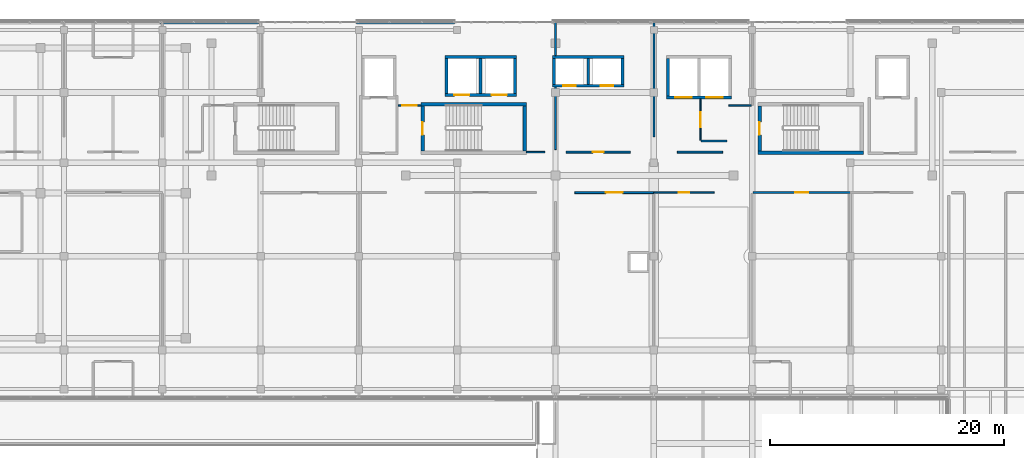
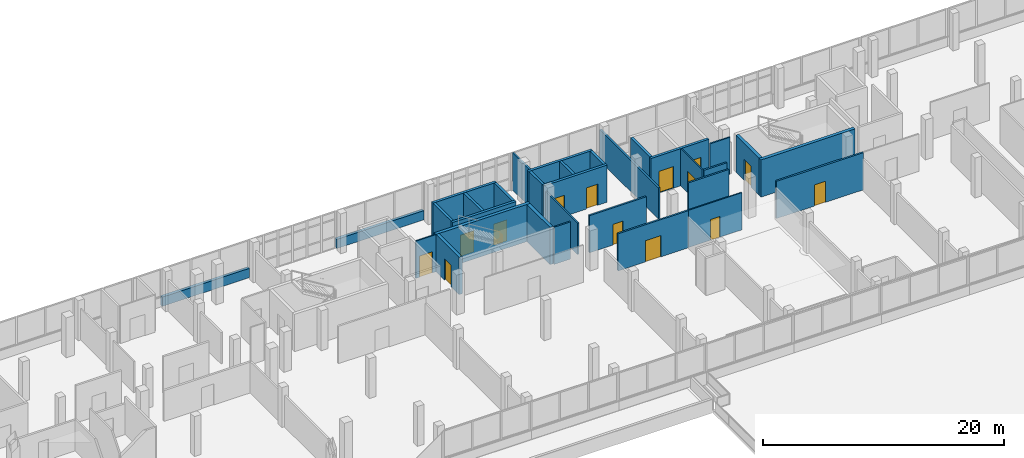
# One storey, part 69 of 78: 32 walls, 14 doors, 14 openings.
"""IFC4 building model written with IfcOpenShell, lengths in metres."""

from ifc_helpers import new_model, si_unit, direction, frame, frame_2d, origin, place, context, subcontext, project, spatial, rectangle, extrude, material, layer, layer_set, type_object, element, fill, save


model = new_model("IFC4")

# Units and contexts
model_context = context("Model", 3, precision=1e-05, world=origin(), true_north=direction((0.0, 1.0)))
body_context = subcontext(model_context, "Body", "Model", "MODEL_VIEW")
ifc_project = project(units=[si_unit("LENGTHUNIT", "METRE"), si_unit("AREAUNIT", "SQUARE_METRE"), si_unit("VOLUMEUNIT", "CUBIC_METRE"), si_unit("PLANEANGLEUNIT", "RADIAN"), si_unit("MASSUNIT", "GRAM", prefix="KILO")], contexts=[model_context])

# Site, building, storey
site_placement = place(None, origin())
site = spatial("IfcSite", under=ifc_project, at=site_placement, CompositionType="ELEMENT")
building_placement = place(site_placement, origin())
building = spatial("IfcBuilding", under=site, at=building_placement, Name="Selatvlak General Hospital", CompositionType="ELEMENT")
storey_placement = place(building_placement, frame((0.0, 0.0, 23.25)))
storey = spatial("IfcBuildingStorey", under=building, at=storey_placement, Name="L05", CompositionType="ELEMENT", Elevation=23.25)

# Walls
ifc_material_1 = material(Name="Precast concrete C40/50 - white Bauhaus spandrel", Category="concrete")
ifc_layer_1 = layer(ifc_material_1, 0.280029296875, Name="Precast concrete C40/50 - white Bauhaus spandrel", Category="concrete")
ifc_layer_set_1 = layer_set([ifc_layer_1], Name="Precast concrete C40/50 - white Bauhaus spandrel")
wall_type_1 = type_object("IfcWallType", Name="WALL-EW-02", PredefinedType="SOLIDWALL", material=ifc_layer_set_1)
for number, where, z_axis, x_axis, name in (
    (1, (81.4541015625, 119.9990234375, 0.0), (0.0, 0.0, 1.0), (1.0, 0.0, 0.0), "L05 Bauhaus spandrel sill wall 0486"),
    (2, (98.2119140625, 119.9990234375, 0.0), (0.0, 0.0, 1.0), (0.999999993202, 0.000116604477, 0.0), "L05 Bauhaus spandrel sill wall 0487"),
):
    element("IfcWall", number, at=place(storey_placement, frame(where, z_axis=z_axis, x_axis=x_axis)), inside=storey, type_object=wall_type_1, Name=name, PredefinedType="SOLIDWALL", context=body_context, shape_type="SweptSolid", body=[
        extrude(rectangle(XDim=8.375, YDim=0.280029296875, at=frame_2d((4.1875, 0.0))), origin(), (0.0, 0.0, 1.0), 0.93994140625),
    ])

# Wall, opening, door
ifc_material_2 = material(Name="Acoustic gypsum stud partition")
ifc_layer_2 = layer(ifc_material_2, 0.179931640625, Name="Acoustic gypsum stud partition")
ifc_layer_set_2 = layer_set([ifc_layer_2], Name="Acoustic gypsum stud partition")
wall_type_2 = type_object("IfcWallType", Name="WALL-PT-01", PredefinedType="PARTITIONING", material=ifc_layer_set_2)
wall_1_placement = place(storey_placement, frame((132.055908203125, 105.43994140625, 0.0), z_axis=(0.0, 0.0, 1.0), x_axis=(1.0, 0.0, 0.0)))
wall_1 = element("IfcWall", 3, at=wall_1_placement, inside=storey, type_object=wall_type_2, Name="L05 clinical partition PT-L05-1887", PredefinedType="PARTITIONING", context=body_context, shape_type="SweptSolid", body=[
    extrude(rectangle(XDim=8.343994140625, YDim=0.179931640625, at=frame_2d((4.171875, 0.0))), origin(), (0.0, 0.0, 1.0), 3.77490234375),
])
opening_1_placement = place(wall_1_placement, frame((3.6220703125, 0.0, 0.0)))
opening_1 = element("IfcOpeningElement", 4, at=opening_1_placement, cuts=wall_1, Name="Opening D-22", PredefinedType="OPENING", context=body_context, shape_type="SweptSolid", body=[
    extrude(rectangle(XDim=1.10009765625, YDim=2.14990234375, at=frame_2d((0.550048828125, 1.074951171875))), frame((0.0, 0.099853515625, 0.0), z_axis=(0.0, -1.0, 0.0), x_axis=(1.0, 0.0, 0.0)), (0.0, 0.0, 1.0), 0.199951171875),
])
ifc_material_3 = material(Name="Pharmacy security fire door")
door_type_1 = type_object("IfcDoorType", Name="DOOR-D-22", OperationType="NOTDEFINED", PredefinedType="DOOR", material=ifc_material_3)
door_1_placement = place(opening_1_placement, origin())
door_1 = element("IfcDoor", 5, at=door_1_placement, inside=storey, type_object=door_type_1, Name="L05 Single Patient Room 13 door", OperationType="SINGLE_SWING_RIGHT", OverallHeight=2.14990234375, OverallWidth=1.10009765625, PredefinedType="DOOR", context=body_context, shape_type="SweptSolid", body=[
    extrude(rectangle(XDim=1.10009765625, YDim=2.14990234375, at=frame_2d((0.550048828125, 1.074951171875))), frame((0.0, 0.02490234375, 0.0), z_axis=(0.0, -1.0, 0.0), x_axis=(1.0, 0.0, 0.0)), (0.0, 0.0, 1.0), 0.050048828125),
])
fill(opening_1, door_1)

# Walls
wall_2_placement = place(storey_placement, frame((123.60009765625, 119.9580078125, 0.0), z_axis=(0.0, 0.0, 1.0), x_axis=(0.0, -1.0, 0.0)))
element("IfcWall", 6, at=wall_2_placement, inside=storey, type_object=wall_type_2, Name="L05 clinical partition PT-L05-1940", PredefinedType="PARTITIONING", context=body_context, shape_type="SweptSolid", body=[
    extrude(rectangle(XDim=9.748046875, YDim=0.179931640625, at=frame_2d((4.8740234375, 0.0))), origin(), (0.0, 0.0, 1.0), 3.175048828125),
])
wall_3_placement = place(storey_placement, frame((127.64990234375, 109.840087890625, 0.0), z_axis=(0.0, 0.0, 1.0), x_axis=(1.0, 0.0, 0.0)))
element("IfcWall", 7, at=wall_3_placement, inside=storey, type_object=wall_type_2, Name="L05 clinical partition PT-L05-1945", PredefinedType="PARTITIONING", context=body_context, shape_type="SweptSolid", body=[
    extrude(rectangle(XDim=2.190185546875, YDim=0.179931640625, at=frame_2d((1.09521484375, 0.0))), origin(), (0.0, 0.0, 1.0), 3.77490234375),
])

# Wall, opening, door
ifc_layer_3 = layer(ifc_material_2, 0.1650390625, Name="Acoustic gypsum stud partition")
ifc_layer_set_3 = layer_set([ifc_layer_3], Name="Acoustic gypsum stud partition")
wall_type_3 = type_object("IfcWallType", Name="WALL-PT-02", PredefinedType="PARTITIONING", material=ifc_layer_set_3)
wall_4_placement = place(storey_placement, frame((116.85595703125, 105.43994140625, 0.0), z_axis=(0.0, 0.0, 1.0), x_axis=(1.0, 0.0, 0.0)))
wall_4 = element("IfcWall", 8, at=wall_4_placement, inside=storey, type_object=wall_type_3, Name="L05 clinical partition PT-L05-1881", PredefinedType="PARTITIONING", context=body_context, shape_type="SweptSolid", body=[
    extrude(rectangle(XDim=6.744140625, YDim=0.1650390625, at=frame_2d((3.3720703125, 0.0))), origin(), (0.0, 0.0, 1.0), 3.77490234375),
])
opening_2_placement = place(wall_4_placement, frame((2.64697265625, 0.0, 0.0)))
opening_2 = element("IfcOpeningElement", 9, at=opening_2_placement, cuts=wall_4, Name="Opening D-12", PredefinedType="OPENING", context=body_context, shape_type="SweptSolid", body=[
    extrude(rectangle(XDim=1.449951171875, YDim=2.14990234375, at=frame_2d((0.72509765625, 1.074951171875))), frame((0.0, 0.092529296875, 0.0), z_axis=(0.0, -1.0, 0.0), x_axis=(1.0, 0.0, 0.0)), (0.0, 0.0, 1.0), 0.18505859375),
])
ifc_material_4 = material(Name="Isolation anteroom door")
door_type_2 = type_object("IfcDoorType", Name="DOOR-D-12", OperationType="NOTDEFINED", PredefinedType="DOOR", material=ifc_material_4)
door_2_placement = place(opening_2_placement, origin())
door_2 = element("IfcDoor", 10, at=door_2_placement, inside=storey, type_object=door_type_2, Name="L05 Inpatient Rehabilitation Dayroom 11 door", OperationType="SINGLE_SWING_RIGHT", OverallHeight=2.14990234375, OverallWidth=1.449951171875, PredefinedType="DOOR", context=body_context, shape_type="SweptSolid", body=[
    extrude(rectangle(XDim=1.449951171875, YDim=2.14990234375, at=frame_2d((0.72509765625, 1.074951171875))), frame((0.0, 0.02490234375, 0.0), z_axis=(0.0, -1.0, 0.0), x_axis=(1.0, 0.0, 0.0)), (0.0, 0.0, 1.0), 0.050048828125),
])
fill(opening_2, door_2)

# Wall
wall_5_placement = place(storey_placement, frame((115.199951171875, 119.9580078125, 0.0), z_axis=(0.0, 0.0, 1.0), x_axis=(0.0, -1.0, 0.0)))
element("IfcWall", 11, at=wall_5_placement, inside=storey, type_object=wall_type_3, Name="L05 clinical partition PT-L05-1936", PredefinedType="PARTITIONING", context=body_context, shape_type="SweptSolid", body=[
    extrude(rectangle(XDim=2.81103515625, YDim=0.1650390625, at=frame_2d((1.405517578125, 0.0))), origin(), (0.0, 0.0, 1.0), 3.77490234375),
])

# Wall, opening, door
wall_6_placement = place(storey_placement, frame((121.589111328125, 108.909912109375, 0.0), z_axis=(0.0, 0.0, 1.0), x_axis=(-1.0, 0.0, 0.0)))
wall_6 = element("IfcWall", 12, at=wall_6_placement, inside=storey, type_object=wall_type_3, Name="L05 clinical partition PT-L05-1941", PredefinedType="PARTITIONING", context=body_context, shape_type="SweptSolid", body=[
    extrude(rectangle(XDim=5.47607421875, YDim=0.1650390625, at=frame_2d((2.738037109375, 0.0))), origin(), (0.0, 0.0, 1.0), 3.77490234375),
])
opening_3_placement = place(wall_6_placement, frame((2.262939453125, 0.0, 0.0)))
opening_3 = element("IfcOpeningElement", 13, at=opening_3_placement, cuts=wall_6, Name="Opening D-02", PredefinedType="OPENING", context=body_context, shape_type="SweptSolid", body=[
    extrude(rectangle(XDim=0.949951171875, YDim=2.10009765625, at=frame_2d((0.47509765625, 1.050048828125))), frame((0.0, 0.092529296875, 0.0), z_axis=(0.0, -1.0, 0.0), x_axis=(1.0, 0.0, 0.0)), (0.0, 0.0, 1.0), 0.18505859375),
])
ifc_material_5 = material(Name="Moisture-resistant en-suite door")
door_type_3 = type_object("IfcDoorType", Name="DOOR-D-02", OperationType="NOTDEFINED", PredefinedType="DOOR", material=ifc_material_5)
door_3_placement = place(opening_3_placement, origin())
door_3 = element("IfcDoor", 14, at=door_3_placement, inside=storey, type_object=door_type_3, Name="L05 Inpatient Rehabilitation Dayroom 29 door", OperationType="SINGLE_SWING_LEFT", OverallHeight=2.10009765625, OverallWidth=0.949951171875, PredefinedType="DOOR", context=body_context, shape_type="SweptSolid", body=[
    extrude(rectangle(XDim=0.949951171875, YDim=2.10009765625, at=frame_2d((0.47509765625, 1.050048828125))), frame((0.0, 0.02490234375, 0.0), z_axis=(0.0, -1.0, 0.0), x_axis=(1.0, 0.0, 0.0)), (0.0, 0.0, 1.0), 0.050048828125),
])
fill(opening_3, door_3)

# Walls
wall_7_placement = place(storey_placement, frame((129.487060546875, 108.909912109375, 0.0), z_axis=(0.0, 0.0, 1.0), x_axis=(-1.0, 0.0, 0.0)))
element("IfcWall", 15, at=wall_7_placement, inside=storey, type_object=wall_type_3, Name="L05 clinical partition PT-L05-1946", PredefinedType="PARTITIONING", context=body_context, shape_type="SweptSolid", body=[
    extrude(rectangle(XDim=3.8759765625, YDim=0.1650390625, at=frame_2d((1.93798828125, 0.0))), origin(), (0.0, 0.0, 1.0), 3.77490234375),
])
ifc_layer_4 = layer(ifc_material_2, 0.14990234375, Name="Acoustic gypsum stud partition")
ifc_layer_set_4 = layer_set([ifc_layer_4], Name="Acoustic gypsum stud partition")
wall_type_4 = type_object("IfcWallType", Name="WALL-PT-03", PredefinedType="PARTITIONING", material=ifc_layer_set_4)
wall_8_placement = place(storey_placement, frame((115.199951171875, 114.452880859375, 0.0), z_axis=(0.0, 0.0, 1.0), x_axis=(0.0, -1.0, 0.0)))
element("IfcWall", 16, at=wall_8_placement, inside=storey, type_object=wall_type_4, Name="L05 clinical partition PT-L05-1937", PredefinedType="PARTITIONING", context=body_context, shape_type="SweptSolid", body=[
    extrude(rectangle(XDim=5.3427734375, YDim=0.14990234375, at=frame_2d((2.67138671875, 0.0))), origin(), (0.0, 0.0, 1.0), 3.175048828125),
])
ifc_material_6 = material(Name="Moisture-resistant clinical partition")
ifc_layer_5 = layer(ifc_material_6, 0.135009765625, Name="Moisture-resistant clinical partition")
ifc_layer_set_5 = layer_set([ifc_layer_5], Name="Moisture-resistant clinical partition")
wall_type_5 = type_object("IfcWallType", Name="WALL-PT-04", PredefinedType="PARTITIONING", material=ifc_layer_set_5)
wall_9_placement = place(storey_placement, frame((114.287109375, 108.909912109375, 0.0), z_axis=(0.0, 0.0, 1.0), x_axis=(-1.0, 0.0, 0.0)))
element("IfcWall", 17, at=wall_9_placement, inside=storey, type_object=wall_type_5, Name="L05 clinical partition PT-L05-1938", PredefinedType="PARTITIONING", context=body_context, shape_type="SweptSolid", body=[
    extrude(rectangle(XDim=1.5771484375, YDim=0.135009765625, at=frame_2d((0.78857421875, 0.0))), origin(), (0.0, 0.0, 1.0), 3.77490234375),
])
wall_10_placement = place(storey_placement, frame((131.928955078125, 112.89990234375, 0.0), z_axis=(0.0, 0.0, 1.0), x_axis=(-1.0, 0.0, 0.0)))
element("IfcWall", 18, at=wall_10_placement, inside=storey, type_object=wall_type_5, Name="L05 clinical partition PT-L05-1943", PredefinedType="PARTITIONING", context=body_context, shape_type="SweptSolid", body=[
    extrude(rectangle(XDim=1.9189453125, YDim=0.135009765625, at=frame_2d((0.95947265625, 0.0))), origin(), (0.0, 0.0, 1.0), 3.77490234375),
])

# Wall, opening, door
ifc_layer_6 = layer(ifc_material_6, 0.1201171875, Name="Moisture-resistant clinical partition")
ifc_layer_set_6 = layer_set([ifc_layer_6], Name="Moisture-resistant clinical partition")
wall_type_6 = type_object("IfcWallType", Name="WALL-PT-05", PredefinedType="PARTITIONING", material=ifc_layer_set_6)
wall_11_placement = place(storey_placement, frame((123.60009765625, 105.43994140625, 0.0), z_axis=(0.0, 0.0, 1.0), x_axis=(1.0, 0.0, 0.0)))
wall_11 = element("IfcWall", 19, at=wall_11_placement, inside=storey, type_object=wall_type_6, Name="L05 clinical partition PT-L05-1884", PredefinedType="PARTITIONING", context=body_context, shape_type="SweptSolid", body=[
    extrude(rectangle(XDim=5.143798828125, YDim=0.1201171875, at=frame_2d((2.57177734375, 0.0))), origin(), (0.0, 0.0, 1.0), 3.77490234375),
])
opening_4_placement = place(wall_11_placement, frame((2.1220703125, 0.0, 0.0)))
opening_4 = element("IfcOpeningElement", 20, at=opening_4_placement, cuts=wall_11, Name="Opening D-01", PredefinedType="OPENING", context=body_context, shape_type="SweptSolid", body=[
    extrude(rectangle(XDim=0.89990234375, YDim=2.10009765625, at=frame_2d((0.449951171875, 1.050048828125))), frame((0.0, 0.070068359375, 0.0), z_axis=(0.0, -1.0, 0.0), x_axis=(1.0, 0.0, 0.0)), (0.0, 0.0, 1.0), 0.14013671875),
])
ifc_material_7 = material(Name="Hardwood clinical room door", Category="wood")
door_type_4 = type_object("IfcDoorType", Name="DOOR-D-01", OperationType="NOTDEFINED", PredefinedType="DOOR", material=ifc_material_7)
door_4_placement = place(opening_4_placement, origin())
door_4 = element("IfcDoor", 21, at=door_4_placement, inside=storey, type_object=door_type_4, Name="L05 Outpatient Specialist Waiting Concourse 12 door", OperationType="SINGLE_SWING_LEFT", OverallHeight=2.10009765625, OverallWidth=0.89990234375, PredefinedType="DOOR", context=body_context, shape_type="SweptSolid", body=[
    extrude(rectangle(XDim=0.89990234375, YDim=2.10009765625, at=frame_2d((0.449951171875, 1.050048828125))), frame((0.0, 0.02490234375, 0.0), z_axis=(0.0, -1.0, 0.0), x_axis=(1.0, 0.0, 0.0)), (0.0, 0.0, 1.0), 0.050048828125),
])
fill(opening_4, door_4)

wall_12_placement = place(storey_placement, frame((103.68994140625, 112.89990234375, 0.0), z_axis=(0.0, 0.0, 1.0), x_axis=(-1.0, 0.0, 0.0)))
wall_12 = element("IfcWall", 22, at=wall_12_placement, inside=storey, type_object=wall_type_6, Name="L05 clinical partition PT-L05-1939", PredefinedType="PARTITIONING", context=body_context, shape_type="SweptSolid", body=[
    extrude(rectangle(XDim=1.94287109375, YDim=0.1201171875, at=frame_2d((0.971435546875, 0.0))), origin(), (0.0, 0.0, 1.0), 3.77490234375),
])
opening_5_placement = place(wall_12_placement, frame((0.345947265625, 0.0, 0.0)))
opening_5 = element("IfcOpeningElement", 23, at=opening_5_placement, cuts=wall_12, Name="Opening D-08", PredefinedType="OPENING", context=body_context, shape_type="SweptSolid", body=[
    extrude(rectangle(XDim=1.25, YDim=2.14990234375, at=frame_2d((0.625, 1.074951171875))), frame((0.0, 0.070068359375, 0.0), z_axis=(0.0, -1.0, 0.0), x_axis=(1.0, 0.0, 0.0)), (0.0, 0.0, 1.0), 0.14013671875),
])
ifc_material_8 = material(Name="Diagnostic treatment door")
door_type_5 = type_object("IfcDoorType", Name="DOOR-D-08", OperationType="NOTDEFINED", PredefinedType="DOOR", material=ifc_material_8)
door_5_placement = place(opening_5_placement, origin())
door_5 = element("IfcDoor", 24, at=door_5_placement, inside=storey, type_object=door_type_5, Name="L05 Ward Clinical Pharmacy Room 28 door", OperationType="SINGLE_SWING_RIGHT", OverallHeight=2.14990234375, OverallWidth=1.25, PredefinedType="DOOR", context=body_context, shape_type="SweptSolid", body=[
    extrude(rectangle(XDim=1.25, YDim=2.14990234375, at=frame_2d((0.625, 1.074951171875))), frame((0.0, 0.02490234375, 0.0), z_axis=(0.0, -1.0, 0.0), x_axis=(1.0, 0.0, 0.0)), (0.0, 0.0, 1.0), 0.050048828125),
])
fill(opening_5, door_5)

wall_13_placement = place(storey_placement, frame((127.590087890625, 113.452880859375, 0.0), z_axis=(0.0, 0.0, 1.0), x_axis=(0.0, -1.0, 0.0)))
wall_13 = element("IfcWall", 25, at=wall_13_placement, inside=storey, type_object=wall_type_6, Name="L05 clinical partition PT-L05-1944", PredefinedType="PARTITIONING", context=body_context, shape_type="SweptSolid", body=[
    extrude(rectangle(XDim=3.552978515625, YDim=0.1201171875, at=frame_2d((1.7763671875, 0.0))), origin(), (0.0, 0.0, 1.0), 3.77490234375),
])
opening_6_placement = place(wall_13_placement, frame((1.1259765625, 0.0, 0.0)))
opening_6 = element("IfcOpeningElement", 26, at=opening_6_placement, cuts=wall_13, Name="Opening D-24", PredefinedType="OPENING", context=body_context, shape_type="SweptSolid", body=[
    extrude(rectangle(XDim=1.300048828125, YDim=2.14990234375, at=frame_2d((0.64990234375, 1.074951171875))), frame((0.0, 0.070068359375, 0.0), z_axis=(0.0, -1.0, 0.0), x_axis=(1.0, 0.0, 0.0)), (0.0, 0.0, 1.0), 0.14013671875),
])
ifc_material_9 = material(Name="Oncology bay door")
door_type_6 = type_object("IfcDoorType", Name="DOOR-D-24", OperationType="NOTDEFINED", PredefinedType="DOOR", material=ifc_material_9)
door_6_placement = place(opening_6_placement, origin())
door_6 = element("IfcDoor", 27, at=door_6_placement, inside=storey, type_object=door_type_6, Name="L05 Clean Clinical Utility Room 30 door", OperationType="SINGLE_SWING_RIGHT", OverallHeight=2.14990234375, OverallWidth=1.300048828125, PredefinedType="DOOR", context=body_context, shape_type="SweptSolid", body=[
    extrude(rectangle(XDim=1.300048828125, YDim=2.14990234375, at=frame_2d((0.64990234375, 1.074951171875))), frame((0.0, 0.02490234375, 0.0), z_axis=(0.0, -1.0, 0.0), x_axis=(1.0, 0.0, 0.0)), (0.0, 0.0, 1.0), 0.050048828125),
])
fill(opening_6, door_6)

# Walls
ifc_material_10 = material(Name="Concrete C45/55", Category="concrete")
ifc_layer_7 = layer(ifc_material_10, 0.300048828125, Name="Concrete C45/55", Category="concrete")
ifc_layer_set_7 = layer_set([ifc_layer_7], Name="Concrete C45/55")
wall_type_7 = type_object("IfcWallType", Name="WALL-SW-02", PredefinedType="SHEAR", material=ifc_layer_set_7)
wall_14_placement = place(storey_placement, frame((112.56005859375, 108.989990234375, 0.0), z_axis=(0.0, 0.0, 1.0), x_axis=(0.0, 1.0, 0.0)))
element("IfcWall", 28, at=wall_14_placement, inside=storey, type_object=wall_type_7, Name="ST-03 core shear wall L05 E", PredefinedType="SHEAR", context=body_context, shape_type="SweptSolid", body=[
    extrude(rectangle(XDim=3.860107421875, YDim=0.300048828125, at=frame_2d((1.93017578125, 0.0))), origin(), (0.0, 0.0, 1.0), 3.77490234375),
])
wall_15_placement = place(storey_placement, frame((112.7099609375, 113.0, 0.0), z_axis=(0.0, 0.0, 1.0), x_axis=(-1.0, 0.0, 0.0)))
element("IfcWall", 29, at=wall_15_placement, inside=storey, type_object=wall_type_7, Name="ST-03 core shear wall L05 N", PredefinedType="SHEAR", context=body_context, shape_type="SweptSolid", body=[
    extrude(rectangle(XDim=9.02001953125, YDim=0.300048828125, at=frame_2d((4.510009765625, 0.0))), origin(), (0.0, 0.0, 1.0), 3.77490234375),
])

# Wall, opening, door
wall_16_placement = place(storey_placement, frame((103.840087890625, 112.85009765625, 0.0), z_axis=(0.0, 0.0, 1.0), x_axis=(0.0, -1.0, 0.0)))
wall_16 = element("IfcWall", 30, at=wall_16_placement, inside=storey, type_object=wall_type_7, Name="ST-03 core shear wall L05 W", PredefinedType="SHEAR", context=body_context, shape_type="SweptSolid", body=[
    extrude(rectangle(XDim=3.860107421875, YDim=0.300048828125, at=frame_2d((1.93017578125, 0.0))), origin(), (0.0, 0.0, 1.0), 3.77490234375),
])
opening_7_placement = place(wall_16_placement, frame((1.3798828125, 0.0, 0.0)))
opening_7 = element("IfcOpeningElement", 31, at=opening_7_placement, cuts=wall_16, Name="Opening D-05", PredefinedType="OPENING", context=body_context, shape_type="SweptSolid", body=[
    extrude(rectangle(XDim=1.10009765625, YDim=2.14990234375, at=frame_2d((0.550048828125, 1.074951171875))), frame((0.0, 0.159912109375, 0.0), z_axis=(0.0, -1.0, 0.0), x_axis=(1.0, 0.0, 0.0)), (0.0, 0.0, 1.0), 0.320068359375),
])
ifc_material_11 = material(Name="Protected stair fire door")
door_type_7 = type_object("IfcDoorType", Name="DOOR-D-05", OperationType="NOTDEFINED", PredefinedType="DOOR", material=ifc_material_11)
door_7_placement = place(opening_7_placement, origin())
door_7 = element("IfcDoor", 32, at=door_7_placement, inside=storey, type_object=door_type_7, Name="ST-03 protected stair door on L05", OperationType="SINGLE_SWING_LEFT", OverallHeight=2.14990234375, OverallWidth=1.10009765625, PredefinedType="DOOR", context=body_context, shape_type="SweptSolid", body=[
    extrude(rectangle(XDim=1.10009765625, YDim=2.14990234375, at=frame_2d((0.550048828125, 1.074951171875))), frame((0.0, 0.02490234375, 0.0), z_axis=(0.0, -1.0, 0.0), x_axis=(1.0, 0.0, 0.0)), (0.0, 0.0, 1.0), 0.050048828125),
])
fill(opening_7, door_7)

# Wall
wall_17_placement = place(storey_placement, frame((132.489990234375, 108.840087890625, 0.0), z_axis=(0.0, 0.0, 1.0), x_axis=(1.0, 0.0, 0.0)))
element("IfcWall", 33, at=wall_17_placement, inside=storey, type_object=wall_type_7, Name="ST-04 core shear wall L05 S", PredefinedType="SHEAR", context=body_context, shape_type="SweptSolid", body=[
    extrude(rectangle(XDim=9.02001953125, YDim=0.300048828125, at=frame_2d((4.510009765625, 0.0))), origin(), (0.0, 0.0, 1.0), 3.77490234375),
])

# Wall, opening, door
wall_18_placement = place(storey_placement, frame((132.639892578125, 112.85009765625, 0.0), z_axis=(0.0, 0.0, 1.0), x_axis=(0.0, -1.0, 0.0)))
wall_18 = element("IfcWall", 34, at=wall_18_placement, inside=storey, type_object=wall_type_7, Name="ST-04 core shear wall L05 W", PredefinedType="SHEAR", context=body_context, shape_type="SweptSolid", body=[
    extrude(rectangle(XDim=3.860107421875, YDim=0.300048828125, at=frame_2d((1.93017578125, 0.0))), origin(), (0.0, 0.0, 1.0), 3.77490234375),
])
opening_8_placement = place(wall_18_placement, frame((1.3798828125, 0.0, 0.0)))
opening_8 = element("IfcOpeningElement", 35, at=opening_8_placement, cuts=wall_18, Name="Opening D-05", PredefinedType="OPENING", context=body_context, shape_type="SweptSolid", body=[
    extrude(rectangle(XDim=1.10009765625, YDim=2.14990234375, at=frame_2d((0.550048828125, 1.074951171875))), frame((0.0, 0.159912109375, 0.0), z_axis=(0.0, -1.0, 0.0), x_axis=(1.0, 0.0, 0.0)), (0.0, 0.0, 1.0), 0.320068359375),
])
door_8_placement = place(opening_8_placement, origin())
door_8 = element("IfcDoor", 36, at=door_8_placement, inside=storey, type_object=door_type_7, Name="ST-04 protected stair door on L05", OperationType="SINGLE_SWING_RIGHT", OverallHeight=2.14990234375, OverallWidth=1.10009765625, PredefinedType="DOOR", context=body_context, shape_type="SweptSolid", body=[
    extrude(rectangle(XDim=1.10009765625, YDim=2.14990234375, at=frame_2d((0.550048828125, 1.074951171875))), frame((0.0, 0.02490234375, 0.0), z_axis=(0.0, -1.0, 0.0), x_axis=(1.0, 0.0, 0.0)), (0.0, 0.0, 1.0), 0.050048828125),
])
fill(opening_8, door_8)

# Wall, openings, doors
ifc_material_12 = material(Name="Concrete C40/50", Category="concrete")
ifc_layer_8 = layer(ifc_material_12, 0.25, Name="Concrete C40/50", Category="concrete")
ifc_layer_set_8 = layer_set([ifc_layer_8], Name="Concrete C40/50")
wall_type_8 = type_object("IfcWallType", Name="WALL-SW-03", PredefinedType="SHEAR", material=ifc_layer_set_8)
wall_19_placement = place(storey_placement, frame((124.699951171875, 113.574951171875, 0.0), z_axis=(0.0, 0.0, 1.0), x_axis=(1.0, 0.0, 0.0)))
wall_19 = element("IfcWall", 37, at=wall_19_placement, inside=storey, type_object=wall_type_8, Name="Lift LB-03-LB-04 shaft wall L05 S", PredefinedType="SHEAR", context=body_context, shape_type="SweptSolid", body=[
    extrude(rectangle(XDim=5.550048828125, YDim=0.25, at=frame_2d((2.77490234375, 0.0))), origin(), (0.0, 0.0, 1.0), 3.77490234375),
])
opening_9_placement = place(wall_19_placement, frame((0.75, 0.0, 0.0)))
opening_9 = element("IfcOpeningElement", 38, at=opening_9_placement, cuts=wall_19, Name="Opening LD-B1", PredefinedType="OPENING", context=body_context, shape_type="SweptSolid", body=[
    extrude(rectangle(XDim=1.39990234375, YDim=2.199951171875, at=frame_2d((0.699951171875, 1.10009765625))), frame((0.0, 0.135009765625, 0.0), z_axis=(0.0, -1.0, 0.0), x_axis=(1.0, 0.0, 0.0)), (0.0, 0.0, 1.0), 0.27001953125),
])
opening_10_placement = place(wall_19_placement, frame((3.39990234375, 0.0, 0.0)))
opening_10 = element("IfcOpeningElement", 39, at=opening_10_placement, cuts=wall_19, Name="Opening LD-B1", PredefinedType="OPENING", context=body_context, shape_type="SweptSolid", body=[
    extrude(rectangle(XDim=1.39990234375, YDim=2.199951171875, at=frame_2d((0.699951171875, 1.10009765625))), frame((0.0, 0.135009765625, 0.0), z_axis=(0.0, -1.0, 0.0), x_axis=(1.0, 0.0, 0.0)), (0.0, 0.0, 1.0), 0.27001953125),
])
ifc_material_13 = material(Name="Stainless steel stretcher lift landing door", Category="steel")
door_type_8 = type_object("IfcDoorType", Name="DOOR-LD-B1", OperationType="DOUBLE_DOOR_SLIDING", PredefinedType="DOOR", material=ifc_material_13)
door_9_placement = place(opening_9_placement, origin())
door_9 = element("IfcDoor", 40, at=door_9_placement, inside=storey, type_object=door_type_8, Name="Lift LB-03 sliding landing door on L05", OperationType="DOUBLE_DOOR_SLIDING", OverallHeight=2.199951171875, OverallWidth=1.39990234375, PredefinedType="DOOR", context=body_context, shape_type="SweptSolid", body=[
    extrude(rectangle(XDim=1.39990234375, YDim=2.199951171875, at=frame_2d((0.699951171875, 1.10009765625))), frame((0.0, 0.02490234375, 0.0), z_axis=(0.0, -1.0, 0.0), x_axis=(1.0, 0.0, 0.0)), (0.0, 0.0, 1.0), 0.050048828125),
])
fill(opening_9, door_9)
door_10_placement = place(opening_10_placement, origin())
door_10 = element("IfcDoor", 41, at=door_10_placement, inside=storey, type_object=door_type_8, Name="Lift LB-04 sliding landing door on L05", OperationType="DOUBLE_DOOR_SLIDING", OverallHeight=2.199951171875, OverallWidth=1.39990234375, PredefinedType="DOOR", context=body_context, shape_type="SweptSolid", body=[
    extrude(rectangle(XDim=1.39990234375, YDim=2.199951171875, at=frame_2d((0.699951171875, 1.10009765625))), frame((0.0, 0.02490234375, 0.0), z_axis=(0.0, -1.0, 0.0), x_axis=(1.0, 0.0, 0.0)), (0.0, 0.0, 1.0), 0.050048828125),
])
fill(opening_10, door_10)

# Wall
wall_20_placement = place(storey_placement, frame((124.824951171875, 116.89990234375, 0.0), z_axis=(0.0, 0.0, 1.0), x_axis=(0.0, -1.0, 0.0)))
element("IfcWall", 42, at=wall_20_placement, inside=storey, type_object=wall_type_8, Name="Lift LB-03-LB-04 shaft wall L05 W", PredefinedType="SHEAR", context=body_context, shape_type="SweptSolid", body=[
    extrude(rectangle(XDim=3.199951171875, YDim=0.25, at=frame_2d((1.60009765625, 0.0))), origin(), (0.0, 0.0, 1.0), 3.77490234375),
])

# Wall, openings, doors
wall_21_placement = place(storey_placement, frame((105.75, 113.77490234375, 0.0), z_axis=(0.0, 0.0, 1.0), x_axis=(1.0, 0.0, 0.0)))
wall_21 = element("IfcWall", 43, at=wall_21_placement, inside=storey, type_object=wall_type_8, Name="Lift LS-01-LS-02 shaft wall L05 S", PredefinedType="SHEAR", context=body_context, shape_type="SweptSolid", body=[
    extrude(rectangle(XDim=6.10009765625, YDim=0.25, at=frame_2d((3.050048828125, 0.0))), origin(), (0.0, 0.0, 1.0), 3.77490234375),
])
opening_11_placement = place(wall_21_placement, frame((0.800048828125, 0.0, 0.0)))
opening_11 = element("IfcOpeningElement", 44, at=opening_11_placement, cuts=wall_21, Name="Opening LD-S1", PredefinedType="OPENING", context=body_context, shape_type="SweptSolid", body=[
    extrude(rectangle(XDim=1.300048828125, YDim=2.14990234375, at=frame_2d((0.64990234375, 1.074951171875))), frame((0.0, 0.135009765625, 0.0), z_axis=(0.0, -1.0, 0.0), x_axis=(1.0, 0.0, 0.0)), (0.0, 0.0, 1.0), 0.27001953125),
])
opening_12_placement = place(wall_21_placement, frame((4.0, 0.0, 0.0)))
opening_12 = element("IfcOpeningElement", 45, at=opening_12_placement, cuts=wall_21, Name="Opening LD-S1", PredefinedType="OPENING", context=body_context, shape_type="SweptSolid", body=[
    extrude(rectangle(XDim=1.300048828125, YDim=2.14990234375, at=frame_2d((0.64990234375, 1.074951171875))), frame((0.0, 0.135009765625, 0.0), z_axis=(0.0, -1.0, 0.0), x_axis=(1.0, 0.0, 0.0)), (0.0, 0.0, 1.0), 0.27001953125),
])
ifc_material_14 = material(Name="Stainless steel goods lift landing door", Category="steel")
door_type_9 = type_object("IfcDoorType", Name="DOOR-LD-S1", OperationType="DOUBLE_DOOR_SLIDING", PredefinedType="DOOR", material=ifc_material_14)
door_11_placement = place(opening_11_placement, origin())
door_11 = element("IfcDoor", 46, at=door_11_placement, inside=storey, type_object=door_type_9, Name="Lift LS-01 sliding landing door on L05", OperationType="DOUBLE_DOOR_SLIDING", OverallHeight=2.14990234375, OverallWidth=1.300048828125, PredefinedType="DOOR", context=body_context, shape_type="SweptSolid", body=[
    extrude(rectangle(XDim=1.300048828125, YDim=2.14990234375, at=frame_2d((0.64990234375, 1.074951171875))), frame((0.0, 0.02490234375, 0.0), z_axis=(0.0, -1.0, 0.0), x_axis=(1.0, 0.0, 0.0)), (0.0, 0.0, 1.0), 0.050048828125),
])
fill(opening_11, door_11)
door_12_placement = place(opening_12_placement, origin())
door_12 = element("IfcDoor", 47, at=door_12_placement, inside=storey, type_object=door_type_9, Name="Lift LS-02 sliding landing door on L05", OperationType="DOUBLE_DOOR_SLIDING", OverallHeight=2.14990234375, OverallWidth=1.300048828125, PredefinedType="DOOR", context=body_context, shape_type="SweptSolid", body=[
    extrude(rectangle(XDim=1.300048828125, YDim=2.14990234375, at=frame_2d((0.64990234375, 1.074951171875))), frame((0.0, 0.02490234375, 0.0), z_axis=(0.0, -1.0, 0.0), x_axis=(1.0, 0.0, 0.0)), (0.0, 0.0, 1.0), 0.050048828125),
])
fill(opening_12, door_12)

# Walls
wall_22_placement = place(storey_placement, frame((111.72509765625, 113.89990234375, 0.0), z_axis=(0.0, 0.0, 1.0), x_axis=(0.0, 1.0, 0.0)))
element("IfcWall", 48, at=wall_22_placement, inside=storey, type_object=wall_type_8, Name="Lift LS-01-LS-02 shaft wall L05 E", PredefinedType="SHEAR", context=body_context, shape_type="SweptSolid", body=[
    extrude(rectangle(XDim=3.0, YDim=0.25, at=frame_2d((1.5, 0.0))), origin(), (0.0, 0.0, 1.0), 3.77490234375),
])
wall_23_placement = place(storey_placement, frame((111.85009765625, 117.02490234375, 0.0), z_axis=(0.0, 0.0, 1.0), x_axis=(-1.0, 0.0, 0.0)))
element("IfcWall", 49, at=wall_23_placement, inside=storey, type_object=wall_type_8, Name="Lift LS-01-LS-02 shaft wall L05 N", PredefinedType="SHEAR", context=body_context, shape_type="SweptSolid", body=[
    extrude(rectangle(XDim=6.10009765625, YDim=0.25, at=frame_2d((3.050048828125, 0.0))), origin(), (0.0, 0.0, 1.0), 3.77490234375),
])
for number, where, z_axis, x_axis, name in (
    (50, (105.875, 116.89990234375, 0.0), (0.0, 0.0, 1.0), (0.0, -1.0, 0.0), "Lift LS-01-LS-02 shaft wall L05 W"),
    (51, (108.800048828125, 113.89990234375, 0.0), (0.0, 0.0, 1.0), (0.0, 1.0, 0.0), "Lift LS-01-LS-02 dividing shaft wall L05"),
):
    element("IfcWall", number, at=place(storey_placement, frame(where, z_axis=z_axis, x_axis=x_axis)), inside=storey, type_object=wall_type_8, Name=name, PredefinedType="SHEAR", context=body_context, shape_type="SweptSolid", body=[
        extrude(rectangle(XDim=3.0, YDim=0.25, at=frame_2d((1.5, 0.0))), origin(), (0.0, 0.0, 1.0), 3.77490234375),
    ])

# Wall, openings, doors
wall_24_placement = place(storey_placement, frame((114.949951171875, 114.574951171875, 0.0), z_axis=(0.0, 0.0, 1.0), x_axis=(1.0, 0.0, 0.0)))
wall_24 = element("IfcWall", 52, at=wall_24_placement, inside=storey, type_object=wall_type_8, Name="Lift LP-05-LP-06 shaft wall L05 S", PredefinedType="SHEAR", context=body_context, shape_type="SweptSolid", body=[
    extrude(rectangle(XDim=6.10009765625, YDim=0.25, at=frame_2d((3.050048828125, 0.0))), origin(), (0.0, 0.0, 1.0), 3.77490234375),
])
opening_13_placement = place(wall_24_placement, frame((0.89990234375, 0.0, 0.0)))
opening_13 = element("IfcOpeningElement", 53, at=opening_13_placement, cuts=wall_24, Name="Opening LD-P1", PredefinedType="OPENING", context=body_context, shape_type="SweptSolid", body=[
    extrude(rectangle(XDim=1.10009765625, YDim=2.14990234375, at=frame_2d((0.550048828125, 1.074951171875))), frame((0.0, 0.135009765625, 0.0), z_axis=(0.0, -1.0, 0.0), x_axis=(1.0, 0.0, 0.0)), (0.0, 0.0, 1.0), 0.27001953125),
])
opening_14_placement = place(wall_24_placement, frame((4.10009765625, 0.0, 0.0)))
opening_14 = element("IfcOpeningElement", 54, at=opening_14_placement, cuts=wall_24, Name="Opening LD-P1", PredefinedType="OPENING", context=body_context, shape_type="SweptSolid", body=[
    extrude(rectangle(XDim=1.10009765625, YDim=2.14990234375, at=frame_2d((0.550048828125, 1.074951171875))), frame((0.0, 0.135009765625, 0.0), z_axis=(0.0, -1.0, 0.0), x_axis=(1.0, 0.0, 0.0)), (0.0, 0.0, 1.0), 0.27001953125),
])
ifc_material_15 = material(Name="Stainless steel passenger lift landing door", Category="steel")
door_type_10 = type_object("IfcDoorType", Name="DOOR-LD-P1", OperationType="DOUBLE_DOOR_SLIDING", PredefinedType="DOOR", material=ifc_material_15)
door_13_placement = place(opening_13_placement, origin())
door_13 = element("IfcDoor", 55, at=door_13_placement, inside=storey, type_object=door_type_10, Name="Lift LP-05 sliding landing door on L05", OperationType="DOUBLE_DOOR_SLIDING", OverallHeight=2.14990234375, OverallWidth=1.10009765625, PredefinedType="DOOR", context=body_context, shape_type="SweptSolid", body=[
    extrude(rectangle(XDim=1.10009765625, YDim=2.14990234375, at=frame_2d((0.550048828125, 1.074951171875))), frame((0.0, 0.02490234375, 0.0), z_axis=(0.0, -1.0, 0.0), x_axis=(1.0, 0.0, 0.0)), (0.0, 0.0, 1.0), 0.050048828125),
])
fill(opening_13, door_13)
door_14_placement = place(opening_14_placement, origin())
door_14 = element("IfcDoor", 56, at=door_14_placement, inside=storey, type_object=door_type_10, Name="Lift LP-06 sliding landing door on L05", OperationType="DOUBLE_DOOR_SLIDING", OverallHeight=2.14990234375, OverallWidth=1.10009765625, PredefinedType="DOOR", context=body_context, shape_type="SweptSolid", body=[
    extrude(rectangle(XDim=1.10009765625, YDim=2.14990234375, at=frame_2d((0.550048828125, 1.074951171875))), frame((0.0, 0.02490234375, 0.0), z_axis=(0.0, -1.0, 0.0), x_axis=(1.0, 0.0, 0.0)), (0.0, 0.0, 1.0), 0.050048828125),
])
fill(opening_14, door_14)

# Walls
wall_25_placement = place(storey_placement, frame((120.925048828125, 114.699951171875, 0.0), z_axis=(0.0, 0.0, 1.0), x_axis=(0.0, 1.0, 0.0)))
element("IfcWall", 57, at=wall_25_placement, inside=storey, type_object=wall_type_8, Name="Lift LP-05-LP-06 shaft wall L05 E", PredefinedType="SHEAR", context=body_context, shape_type="SweptSolid", body=[
    extrude(rectangle(XDim=2.199951171875, YDim=0.25, at=frame_2d((1.10009765625, 0.0))), origin(), (0.0, 0.0, 1.0), 3.77490234375),
])
wall_26_placement = place(storey_placement, frame((121.050048828125, 117.02490234375, 0.0), z_axis=(0.0, 0.0, 1.0), x_axis=(-1.0, 0.0, 0.0)))
element("IfcWall", 58, at=wall_26_placement, inside=storey, type_object=wall_type_8, Name="Lift LP-05-LP-06 shaft wall L05 N", PredefinedType="SHEAR", context=body_context, shape_type="SweptSolid", body=[
    extrude(rectangle(XDim=6.10009765625, YDim=0.25, at=frame_2d((3.050048828125, 0.0))), origin(), (0.0, 0.0, 1.0), 3.77490234375),
])
for number, where, z_axis, x_axis, name in (
    (59, (115.074951171875, 116.89990234375, 0.0), (0.0, 0.0, 1.0), (0.0, -1.0, 0.0), "Lift LP-05-LP-06 shaft wall L05 W"),
    (60, (118.0, 114.699951171875, 0.0), (0.0, 0.0, 1.0), (0.0, 1.0, 0.0), "Lift LP-05-LP-06 dividing shaft wall L05"),
):
    element("IfcWall", number, at=place(storey_placement, frame(where, z_axis=z_axis, x_axis=x_axis)), inside=storey, type_object=wall_type_8, Name=name, PredefinedType="SHEAR", context=body_context, shape_type="SweptSolid", body=[
        extrude(rectangle(XDim=2.199951171875, YDim=0.25, at=frame_2d((1.10009765625, 0.0))), origin(), (0.0, 0.0, 1.0), 3.77490234375),
    ])

save(model, "model.ifc")
